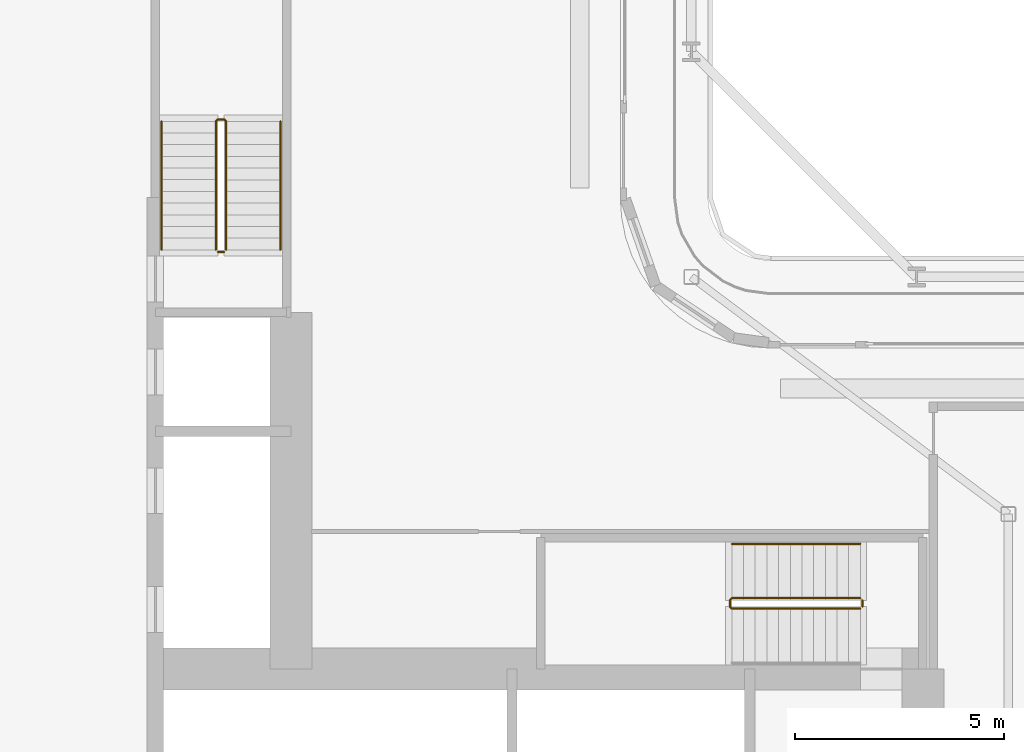
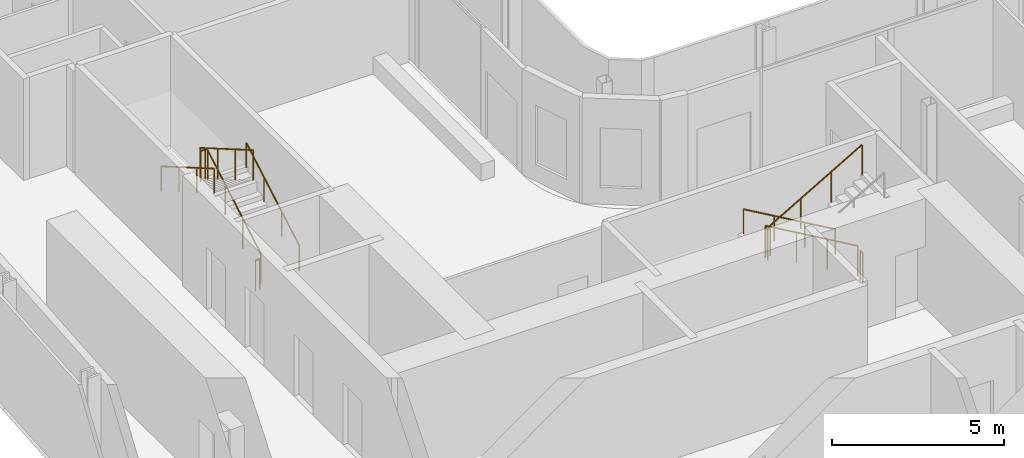
# One storey, part 22 of 27: 7 railings.
"""IFC4 building model written with IfcOpenShell, lengths in metres."""

from ifc_helpers import new_model, si_unit, direction, frame, origin, origin_2d, place, context, subcontext, project, spatial, circle, extrude, material, type_object, element, save


model = new_model("IFC4")

# Units and contexts
model_context = context("Model", 3, precision=1e-05, world=origin(), true_north=direction((0.0, 1.0)))
body_context = subcontext(model_context, "Body", "Model", "MODEL_VIEW")
ifc_project = project(units=[si_unit("LENGTHUNIT", "METRE"), si_unit("AREAUNIT", "SQUARE_METRE"), si_unit("VOLUMEUNIT", "CUBIC_METRE"), si_unit("PLANEANGLEUNIT", "RADIAN"), si_unit("MASSUNIT", "GRAM", prefix="KILO")], contexts=[model_context])

# Site, building, storey
site_placement = place(None, origin())
site = spatial("IfcSite", under=ifc_project, at=site_placement, CompositionType="ELEMENT")
building_placement = place(site_placement, origin())
building = spatial("IfcBuilding", under=site, at=building_placement, Name="Kheshtan School and Residences Tower", CompositionType="ELEMENT")
storey_placement = place(building_placement, frame((0.0, 0.0, 46.10009765625)))
storey = spatial("IfcBuildingStorey", under=building, at=storey_placement, Name="L10", CompositionType="ELEMENT", Elevation=46.10009765625)

# Railings
ifc_material_1 = material(Name="Stainless steel balustrade", Category="steel")
railing_type_1 = type_object("IfcRailingType", Name="Stair guard 1100", PredefinedType="GUARDRAIL", material=ifc_material_1)
railing_1_placement = place(storey_placement, frame((51.64990234375, 37.89990234375, 0.162353515625)))
element("IfcRailing", 1, at=railing_1_placement, inside=storey, type_object=railing_type_1, Name="L10 ST1 stair guard 1", PredefinedType="GUARDRAIL", context=body_context, shape_type="SweptSolid", body=[
    extrude(circle(Radius=0.02392578125, at=origin_2d()), frame((0.0, 0.0, 1.076171875), z_axis=(-0.864873446163, 0.0, 0.501989962173), x_axis=(0.0, -1.0, 0.0)), (0.0, 0.0, 1.0), 3.56103515625),
    extrude(circle(Radius=0.02392578125, at=origin_2d()), frame((-3.079833984375, 0.0, 2.86376953125), z_axis=(-0.708833529934, -0.705375805398, 0.0), x_axis=(0.705375805398, -0.708833529934, 0.0)), (0.0, 0.0, 1.0), 0.070556640625),
    extrude(circle(Radius=0.02392578125, at=origin_2d()), frame((-3.1298828125, -0.0498046875, 2.86376953125), z_axis=(0.0, -1.0, 0.0), x_axis=(1.0, 0.0, 0.0)), (0.0, 0.0, 1.0), 0.150146484375),
    extrude(circle(Radius=0.02392578125, at=origin_2d()), frame((-3.1298828125, -0.199951171875, 2.86376953125), z_axis=(0.282583949758, -0.282583949758, 0.916674763849), x_axis=(0.707106781187, 0.707106781187, 0.0)), (0.0, 0.0, 1.0), 0.177001953125),
    extrude(circle(Radius=0.02392578125, at=origin_2d()), frame((-3.079833984375, -0.25, 3.02587890625), z_axis=(0.864873446163, 0.0, 0.501989962173), x_axis=(0.0, 1.0, 0.0)), (0.0, 0.0, 1.0), 3.56103515625),
    extrude(circle(Radius=0.02099609375, at=origin_2d()), origin(), (0.0, 0.0, 1.0), 1.052001953125),
    extrude(circle(Radius=0.02099609375, at=origin_2d()), frame((-1.026611328125, 0.0, 0.595947265625)), (0.0, 0.0, 1.0), 1.052001953125),
    extrude(circle(Radius=0.02099609375, at=origin_2d()), frame((-2.05322265625, 0.0, 1.191650390625)), (0.0, 0.0, 1.0), 1.052001953125),
    extrude(circle(Radius=0.02099609375, at=origin_2d()), frame((-3.079833984375, 0.0, 1.78759765625)), (0.0, 0.0, 1.0), 1.052001953125),
    extrude(circle(Radius=0.02099609375, at=origin_2d()), frame((-3.1298828125, -0.0498046875, 1.78759765625)), (0.0, 0.0, 1.0), 1.052001953125),
    extrude(circle(Radius=0.02099609375, at=origin_2d()), frame((-3.1298828125, -0.199951171875, 1.78759765625)), (0.0, 0.0, 1.0), 1.052001953125),
    extrude(circle(Radius=0.02099609375, at=origin_2d()), frame((-3.079833984375, -0.25, 1.949951171875)), (0.0, 0.0, 1.0), 1.052001953125),
    extrude(circle(Radius=0.02099609375, at=origin_2d()), frame((-2.05322265625, -0.25, 2.5458984375)), (0.0, 0.0, 1.0), 1.052001953125),
    extrude(circle(Radius=0.02099609375, at=origin_2d()), frame((-1.026611328125, -0.25, 3.1416015625)), (0.0, 0.0, 1.0), 1.052001953125),
    extrude(circle(Radius=0.02099609375, at=origin_2d()), frame((0.0, -0.25, 3.737548828125)), (0.0, 0.0, 1.0), 1.052001953125),
])
railing_2_placement = place(storey_placement, frame((51.699951171875, 37.85009765625, 0.0)))
element("IfcRailing", 2, at=railing_2_placement, inside=storey, type_object=railing_type_1, Name="L10 ST1 stair guard 2", PredefinedType="GUARDRAIL", context=body_context, shape_type="SweptSolid", body=[
    extrude(circle(Radius=0.02392578125, at=origin_2d()), frame((0.0, 0.0, 1.076171875), z_axis=(0.0, -1.0, 0.0), x_axis=(1.0, 0.0, 0.0)), (0.0, 0.0, 1.0), 0.150146484375),
    extrude(circle(Radius=0.02099609375, at=origin_2d()), origin(), (0.0, 0.0, 1.0), 1.052001953125),
    extrude(circle(Radius=0.02099609375, at=origin_2d()), frame((0.0, -0.150146484375, 0.0)), (0.0, 0.0, 1.0), 1.052001953125),
])
railing_3_placement = place(storey_placement, frame((36.449951171875, 46.25, 0.162353515625)))
element("IfcRailing", 3, at=railing_3_placement, inside=storey, type_object=railing_type_1, Name="L10 ST2 stair guard 1", PredefinedType="GUARDRAIL", context=body_context, shape_type="SweptSolid", body=[
    extrude(circle(Radius=0.02392578125, at=origin_2d()), frame((0.0, 0.0, 1.076171875), z_axis=(0.0, 0.864890721111, 0.501960198159), x_axis=(-1.0, 0.0, 0.0)), (0.0, 0.0, 1.0), 3.561279296875),
    extrude(circle(Radius=0.02392578125, at=origin_2d()), frame((0.0, 3.080078125, 2.86376953125), z_axis=(-0.708833529934, 0.705375805398, 0.0), x_axis=(-0.705375805398, -0.708833529934, 0.0)), (0.0, 0.0, 1.0), 0.070556640625),
    extrude(circle(Radius=0.02392578125, at=origin_2d()), frame((-0.050048828125, 3.1298828125, 2.86376953125), z_axis=(-1.0, 0.0, 0.0), x_axis=(0.0, -1.0, 0.0)), (0.0, 0.0, 1.0), 0.14990234375),
    extrude(circle(Radius=0.02392578125, at=origin_2d()), frame((-0.199951171875, 3.1298828125, 2.86376953125), z_axis=(-0.282693820306, -0.281314826061, 0.917031173188), x_axis=(0.705375805398, -0.708833529934, 0.0)), (0.0, 0.0, 1.0), 0.177001953125),
    extrude(circle(Radius=0.02392578125, at=origin_2d()), frame((-0.25, 3.080078125, 3.02587890625), z_axis=(0.0, -0.864890721111, 0.501960198159), x_axis=(1.0, 0.0, 0.0)), (0.0, 0.0, 1.0), 3.561279296875),
    extrude(circle(Radius=0.02099609375, at=origin_2d()), origin(), (0.0, 0.0, 1.0), 1.052001953125),
    extrude(circle(Radius=0.02099609375, at=origin_2d()), frame((0.0, 1.026611328125, 0.595947265625)), (0.0, 0.0, 1.0), 1.052001953125),
    extrude(circle(Radius=0.02099609375, at=origin_2d()), frame((0.0, 2.053466796875, 1.191650390625)), (0.0, 0.0, 1.0), 1.052001953125),
    extrude(circle(Radius=0.02099609375, at=origin_2d()), frame((0.0, 3.080078125, 1.78759765625)), (0.0, 0.0, 1.0), 1.052001953125),
    extrude(circle(Radius=0.02099609375, at=origin_2d()), frame((-0.050048828125, 3.1298828125, 1.78759765625)), (0.0, 0.0, 1.0), 1.052001953125),
    extrude(circle(Radius=0.02099609375, at=origin_2d()), frame((-0.199951171875, 3.1298828125, 1.78759765625)), (0.0, 0.0, 1.0), 1.052001953125),
    extrude(circle(Radius=0.02099609375, at=origin_2d()), frame((-0.25, 3.080078125, 1.949951171875)), (0.0, 0.0, 1.0), 1.052001953125),
    extrude(circle(Radius=0.02099609375, at=origin_2d()), frame((-0.25, 2.053466796875, 2.5458984375)), (0.0, 0.0, 1.0), 1.052001953125),
    extrude(circle(Radius=0.02099609375, at=origin_2d()), frame((-0.25, 1.026611328125, 3.1416015625)), (0.0, 0.0, 1.0), 1.052001953125),
    extrude(circle(Radius=0.02099609375, at=origin_2d()), frame((-0.25, 0.0, 3.737548828125)), (0.0, 0.0, 1.0), 1.052001953125),
])
railing_4_placement = place(storey_placement, frame((36.39990234375, 46.199951171875, 0.0)))
element("IfcRailing", 4, at=railing_4_placement, inside=storey, type_object=railing_type_1, Name="L10 ST2 stair guard 2", PredefinedType="GUARDRAIL", context=body_context, shape_type="SweptSolid", body=[
    extrude(circle(Radius=0.02392578125, at=origin_2d()), frame((0.0, 0.0, 1.076171875), z_axis=(-1.0, 0.0, 0.0), x_axis=(0.0, -1.0, 0.0)), (0.0, 0.0, 1.0), 0.14990234375),
    extrude(circle(Radius=0.02099609375, at=origin_2d()), origin(), (0.0, 0.0, 1.0), 1.052001953125),
    extrude(circle(Radius=0.02099609375, at=origin_2d()), frame((-0.14990234375, 0.0, 0.0)), (0.0, 0.0, 1.0), 1.052001953125),
])
ifc_material_2 = material(Name="Stainless steel handrail", Category="steel")
railing_type_2 = type_object("IfcRailingType", Name="Stair handrail 900", PredefinedType="HANDRAIL", material=ifc_material_2)
railing_5_placement = place(storey_placement, frame((51.64990234375, 39.199951171875, 0.162353515625)))
element("IfcRailing", 5, at=railing_5_placement, inside=storey, type_object=railing_type_2, Name="L10 ST1 stair handrail 1", PredefinedType="HANDRAIL", context=body_context, shape_type="SweptSolid", body=[
    extrude(circle(Radius=0.02392578125, at=origin_2d()), frame((0.0, 0.0, 0.8759765625), z_axis=(-0.864873446163, 0.0, 0.501989962173), x_axis=(0.0, -1.0, 0.0)), (0.0, 0.0, 1.0), 3.56103515625),
    extrude(circle(Radius=0.02099609375, at=origin_2d()), origin(), (0.0, 0.0, 1.0), 0.851806640625),
    extrude(circle(Radius=0.02099609375, at=origin_2d()), frame((-1.026611328125, 0.0, 0.595947265625)), (0.0, 0.0, 1.0), 0.851806640625),
    extrude(circle(Radius=0.02099609375, at=origin_2d()), frame((-2.05322265625, 0.0, 1.191650390625)), (0.0, 0.0, 1.0), 0.851806640625),
    extrude(circle(Radius=0.02099609375, at=origin_2d()), frame((-3.079833984375, 0.0, 1.78759765625)), (0.0, 0.0, 1.0), 0.851806640625),
])
railing_6_placement = place(storey_placement, frame((37.75, 46.25, 0.162353515625)))
element("IfcRailing", 6, at=railing_6_placement, inside=storey, type_object=railing_type_2, Name="L10 ST2 stair handrail 1", PredefinedType="HANDRAIL", context=body_context, shape_type="SweptSolid", body=[
    extrude(circle(Radius=0.02392578125, at=origin_2d()), frame((0.0, 0.0, 0.8759765625), z_axis=(0.0, 0.864890721111, 0.501960198159), x_axis=(-1.0, 0.0, 0.0)), (0.0, 0.0, 1.0), 3.561279296875),
    extrude(circle(Radius=0.02099609375, at=origin_2d()), origin(), (0.0, 0.0, 1.0), 0.851806640625),
    extrude(circle(Radius=0.02099609375, at=origin_2d()), frame((0.0, 1.026611328125, 0.595947265625)), (0.0, 0.0, 1.0), 0.851806640625),
    extrude(circle(Radius=0.02099609375, at=origin_2d()), frame((0.0, 2.053466796875, 1.191650390625)), (0.0, 0.0, 1.0), 0.851806640625),
    extrude(circle(Radius=0.02099609375, at=origin_2d()), frame((0.0, 3.080078125, 1.78759765625)), (0.0, 0.0, 1.0), 0.851806640625),
])
railing_7_placement = place(storey_placement, frame((34.89990234375, 49.330078125, 2.1123046875)))
element("IfcRailing", 7, at=railing_7_placement, inside=storey, type_object=railing_type_2, Name="L10 ST2 stair handrail 2", PredefinedType="HANDRAIL", context=body_context, shape_type="SweptSolid", body=[
    extrude(circle(Radius=0.02392578125, at=origin_2d()), frame((0.0, 0.0, 0.8759765625), z_axis=(0.0, -0.864890721111, 0.501960198159), x_axis=(1.0, 0.0, 0.0)), (0.0, 0.0, 1.0), 3.561279296875),
    extrude(circle(Radius=0.02099609375, at=origin_2d()), origin(), (0.0, 0.0, 1.0), 0.851806640625),
    extrude(circle(Radius=0.02099609375, at=origin_2d()), frame((0.0, -1.026611328125, 0.595947265625)), (0.0, 0.0, 1.0), 0.851806640625),
    extrude(circle(Radius=0.02099609375, at=origin_2d()), frame((0.0, -2.053466796875, 1.191650390625)), (0.0, 0.0, 1.0), 0.851806640625),
    extrude(circle(Radius=0.02099609375, at=origin_2d()), frame((0.0, -3.080078125, 1.78759765625)), (0.0, 0.0, 1.0), 0.851806640625),
])

save(model, "model.ifc")
